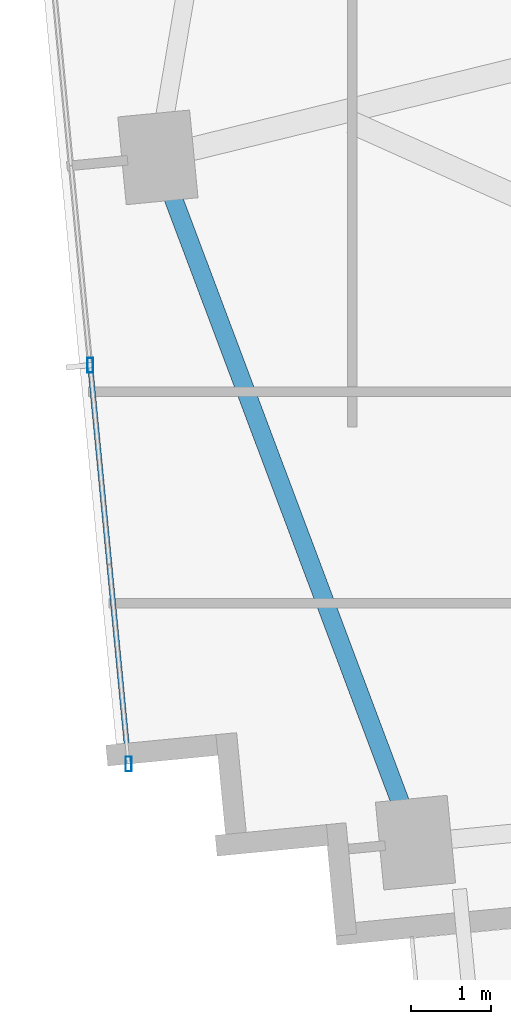
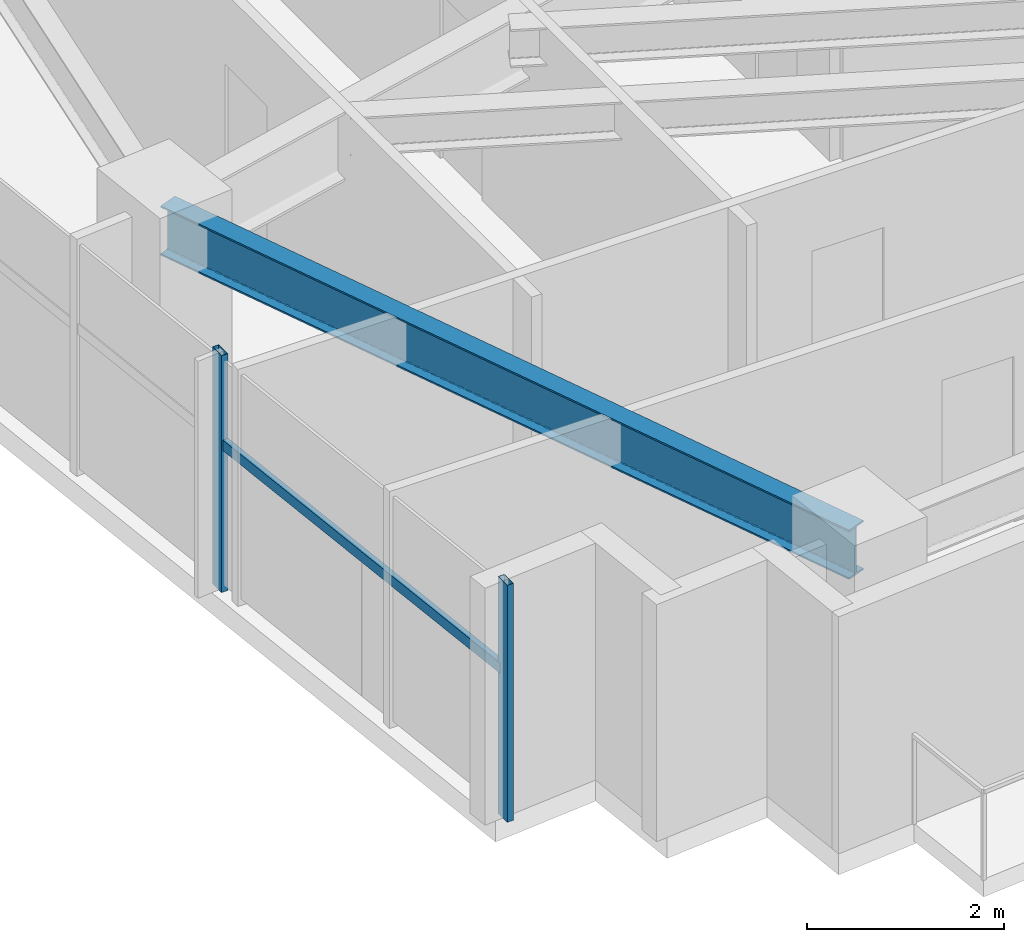
# One storey, part 2 of 25: 3 members, 1 beam, 1 element without a shape of its own.
"""IFC4 building model written with IfcOpenShell, lengths in metres."""

from ifc_helpers import new_model, si_unit, direction, frame, origin, origin_2d, place, context, subcontext, project, spatial, hollow_rectangle, i_section, extrude, source, transform, mapped, material, material_profile, profile_set, type_object, type_shapes, element, aggregate, save


model = new_model("IFC4")

# Units and contexts
model_context = context("Model", 3, precision=1e-05, world=origin(), true_north=direction((0.0, 1.0)))
body_context = subcontext(model_context, "Body", "Model", "MODEL_VIEW")
ifc_project = project(units=[si_unit("LENGTHUNIT", "METRE"), si_unit("AREAUNIT", "SQUARE_METRE"), si_unit("VOLUMEUNIT", "CUBIC_METRE"), si_unit("PLANEANGLEUNIT", "RADIAN"), si_unit("MASSUNIT", "GRAM", prefix="KILO")], contexts=[model_context])

# Site, building, storey
site_placement = place(None, origin())
site = spatial("IfcSite", under=ifc_project, at=site_placement, CompositionType="ELEMENT")
building_placement = place(site_placement, origin())
building = spatial("IfcBuilding", under=site, at=building_placement, Name="Astriad Promenade Condominiums", CompositionType="ELEMENT")
storey_placement = place(building_placement, frame((0.0, 0.0, 106.60009765625)))
storey = spatial("IfcBuildingStorey", under=building, at=storey_placement, Name="L30", CompositionType="ELEMENT", Elevation=106.60009765625)

# Beam
ifc_material_1 = material(Name="Steel ASTM A992 Grade 50", Category="steel")
ifc_material_profile_1 = material_profile(ifc_material_1, i_section(OverallWidth=0.22900390625, OverallDepth=0.612060546875, WebThickness=0.011962890625, FlangeThickness=0.01953125, FilletRadius=0.017822265625, at=origin_2d()), Name="W24X84")
ifc_profile_set_1 = profile_set([ifc_material_profile_1], Name="Steel ASTM A992 Grade 50")
beam_type = type_object("IfcBeamType", Name="STEEL SPANDREL BEAM W24X84", PredefinedType="SPANDREL", material=ifc_profile_set_1)
shared_shape_1 = source(origin(), body_context, "Body", "SweptSolid", [
    extrude(i_section(OverallWidth=0.22900390625, OverallDepth=0.612060546875, WebThickness=0.011962890625, FlangeThickness=0.01953125, FilletRadius=0.017822265625, at=origin_2d()), origin(), (0.0, 0.0, 1.0), 9.055419921875),
])
type_shapes(beam_type, [shared_shape_1])
beam_placement = place(storey_placement, frame((10.765625, 13.523193359375, 2.6337890625), z_axis=(0.351864937141, -0.936050781748, 0.0), x_axis=(0.936050781748, 0.351864937141, 0.0)))
element("IfcBeam", 1, at=beam_placement, inside=storey, type_object=beam_type, Name="Perimeter Spandrel Beam SP-W1-L30", PredefinedType="SPANDREL", context=body_context, shape_type="MappedRepresentation", body=[
    mapped(shared_shape_1, transform((0.0, 0.0, 0.0), scale=1.0)),
])

# Curtain wall, members
ifc_material_2 = material(Name="Anodised aluminium Black Dark Glass Unitised", Category="aluminium")
curtain_wall_type = type_object("IfcCurtainWallType", Name="CW-B2-DARK", PredefinedType="USERDEFINED", material=ifc_material_2)
curtain_wall_placement = place(storey_placement, origin())
curtain_wall = element("IfcCurtainWall", 2, at=curtain_wall_placement, inside=storey, type_object=curtain_wall_type, Name="CW-L30-W", ObjectType="UNITISED_CURTAIN_WALL", PredefinedType="USERDEFINED")
ifc_material_3 = material(Name="Anodised aluminium 6063-T6 Black", Category="aluminium")
ifc_material_profile_2 = material_profile(ifc_material_3, hollow_rectangle(XDim=0.074951171875, YDim=0.18505859375, WallThickness=0.00439453125, at=origin_2d()), Name="ALU-MUL-75X185")
ifc_profile_set_2 = profile_set([ifc_material_profile_2], Name="Anodised aluminium 6063-T6 Black")
member_type_1 = type_object("IfcMemberType", Name="MUL-ALU-MUL-75X185", PredefinedType="MULLION", material=ifc_profile_set_2)
shared_shape_2 = source(origin(), body_context, "Body", "SweptSolid", [
    extrude(hollow_rectangle(XDim=0.074951171875, YDim=0.18505859375, WallThickness=0.00439453125, at=origin_2d()), origin(), (0.0, 0.0, 1.0), 2.93994140625),
])
type_shapes(member_type_1, [shared_shape_2])
member_1_placement = place(storey_placement, frame((10.385498046875, 5.99072265625, 0.0), z_axis=(0.0, 0.0, 1.0), x_axis=(1.0, 0.0, 0.0)))
member_1 = element("IfcMember", 3, at=member_1_placement, type_object=member_type_1, Name="CW-L30-W-MUL-00", PredefinedType="MULLION", context=body_context, shape_type="MappedRepresentation", body=[
    mapped(shared_shape_2, transform((0.0, 0.0, 0.0), scale=1.0)),
])
member_2_placement = place(storey_placement, frame((9.90625, 10.9677734375, 0.0), z_axis=(0.0, 0.0, 1.0), x_axis=(1.0, 0.0, 0.0)))
member_2 = element("IfcMember", 4, at=member_2_placement, type_object=member_type_1, Name="CW-L30-W-MUL-01", PredefinedType="MULLION", context=body_context, shape_type="MappedRepresentation", body=[
    mapped(shared_shape_2, transform((0.0, 0.0, 0.0), scale=1.0)),
])
ifc_material_profile_3 = material_profile(ifc_material_3, hollow_rectangle(XDim=0.06494140625, YDim=0.1298828125, WallThickness=0.00390625, at=origin_2d()), Name="ALU-TRN-65X130")
ifc_profile_set_3 = profile_set([ifc_material_profile_3], Name="Anodised aluminium 6063-T6 Black")
member_type_2 = type_object("IfcMemberType", Name="TRN-ALU-TRN-65X130", PredefinedType="USERDEFINED", material=ifc_profile_set_3)
shared_shape_3 = source(origin(), body_context, "Body", "SweptSolid", [
    extrude(hollow_rectangle(XDim=0.06494140625, YDim=0.1298828125, WallThickness=0.00390625, at=origin_2d()), origin(), (0.0, 0.0, 1.0), 5.0),
])
type_shapes(member_type_2, [shared_shape_3])
member_3_placement = place(storey_placement, frame((10.385498046875, 5.99072265625, 1.82275390625), z_axis=(-0.095848242264, 0.995395958629, 0.0), x_axis=(-0.995395958629, -0.095848242264, 0.0)))
member_3 = element("IfcMember", 5, at=member_3_placement, type_object=member_type_2, Name="CW-L30-W-TRN-00-0", ObjectType="TRANSOM", PredefinedType="USERDEFINED", context=body_context, shape_type="MappedRepresentation", body=[
    mapped(shared_shape_3, transform((0.0, 0.0, 0.0), scale=1.0)),
])
aggregate(curtain_wall, [member_1, member_2, member_3])

save(model, "model.ifc")
